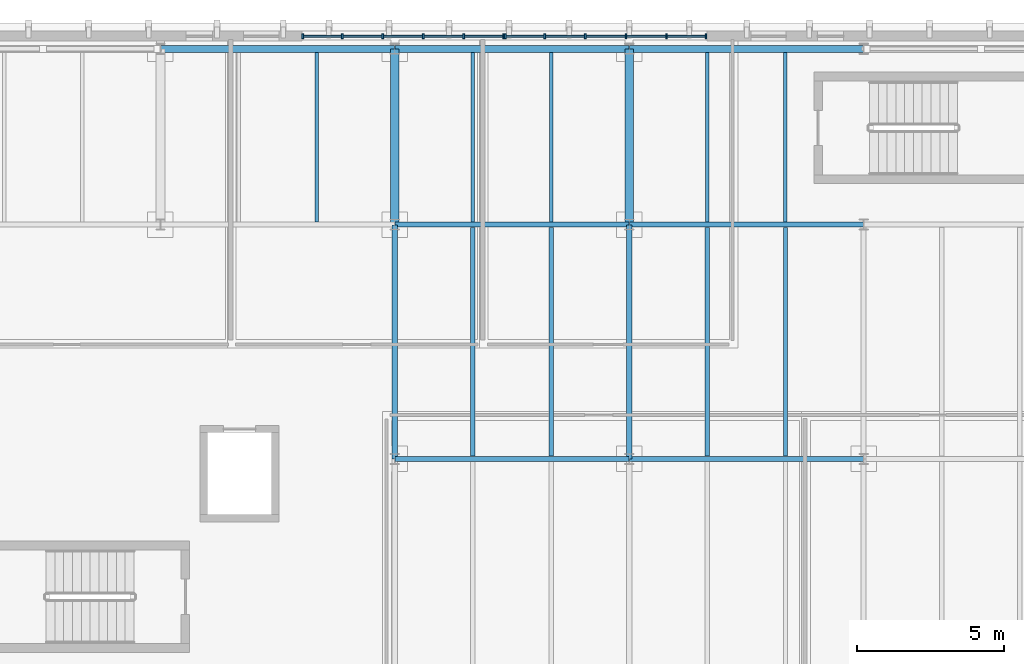
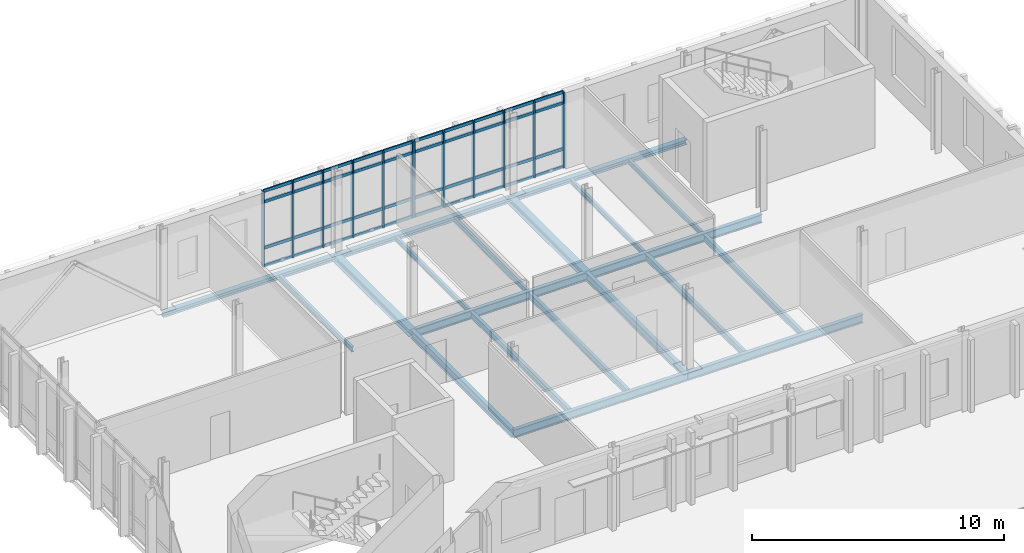
# One storey, part 10 of 43: 52 members, 20 beams, 2 elements without a shape of their own.
"""IFC4 building model written with IfcOpenShell, lengths in metres."""

from ifc_helpers import new_model, si_unit, direction, frame, origin, origin_2d, place, context, subcontext, project, spatial, rectangle, i_section, extrude, material, material_profile, profile_set, type_object, element, aggregate, save


model = new_model("IFC4")

# Units and contexts
model_context = context("Model", 3, precision=1e-05, world=origin(), true_north=direction((0.0, 1.0)))
body_context = subcontext(model_context, "Body", "Model", "MODEL_VIEW")
ifc_project = project(units=[si_unit("LENGTHUNIT", "METRE"), si_unit("AREAUNIT", "SQUARE_METRE"), si_unit("VOLUMEUNIT", "CUBIC_METRE"), si_unit("PLANEANGLEUNIT", "RADIAN"), si_unit("MASSUNIT", "GRAM", prefix="KILO")], contexts=[model_context])

# Site, building, storey
site_placement = place(None, origin())
site = spatial("IfcSite", under=ifc_project, at=site_placement, CompositionType="ELEMENT")
building_placement = place(site_placement, origin())
building = spatial("IfcBuilding", under=site, at=building_placement, Name="Cymarion Research Institute", CompositionType="ELEMENT")
storey_placement = place(building_placement, frame((0.0, 0.0, 22.800048828125)))
storey = spatial("IfcBuildingStorey", under=building, at=storey_placement, Name="L05", CompositionType="ELEMENT", Elevation=22.800048828125)

# Curtain wall, members
ifc_material_1 = material(Name="Anodised aluminium unitised curtain wall with Low-E glazing", Category="aluminium")
curtain_wall_type = type_object("IfcCurtainWallType", Name="UNITISED CURTAIN WALL CW55 6910X3680", PredefinedType="NOTDEFINED", material=ifc_material_1)
curtain_wall_1_placement = place(storey_placement, origin())
curtain_wall_1 = element("IfcCurtainWall", 1, at=curtain_wall_1_placement, inside=storey, type_object=curtain_wall_type, Name="L05 V5 unitised curtain wall CW55 #210", PredefinedType="NOTDEFINED")
ifc_material_2 = material(Name="Anodised aluminium framing", Category="aluminium")
ifc_material_profile_1 = material_profile(ifc_material_2, rectangle(XDim=0.06005859375, YDim=0.179931640625, at=origin_2d()), Name="ALU MULLION 60x180")
ifc_profile_set_1 = profile_set([ifc_material_profile_1], Name="Anodised aluminium framing")
member_type_1 = type_object("IfcMemberType", Name="CURTAIN WALL MULLION ML01 60X180", PredefinedType="MULLION", material=ifc_profile_set_1)
member_1_placement = place(storey_placement, frame((33.221923828125, 115.929931640625, 0.0), z_axis=(0.0, 0.0, 1.0), x_axis=(-1.0, 0.0, 0.0)))
member_1 = element("IfcMember", 2, at=member_1_placement, type_object=member_type_1, Name="CW55 mullion 1", PredefinedType="MULLION", context=body_context, shape_type="SweptSolid", body=[
    extrude(rectangle(XDim=0.06005859375, YDim=0.179931640625, at=origin_2d()), origin(), (0.0, 0.0, 1.0), 3.679931640625),
])
member_2_placement = place(storey_placement, frame((31.869384765625, 115.929931640625, 0.0), z_axis=(0.0, 0.0, 1.0), x_axis=(-1.0, 0.0, 0.0)))
member_2 = element("IfcMember", 3, at=member_2_placement, type_object=member_type_1, Name="CW55 mullion 2", PredefinedType="MULLION", context=body_context, shape_type="SweptSolid", body=[
    extrude(rectangle(XDim=0.06005859375, YDim=0.179931640625, at=origin_2d()), origin(), (0.0, 0.0, 1.0), 3.679931640625),
])
member_3_placement = place(storey_placement, frame((30.48681640625, 115.929931640625, 0.0), z_axis=(0.0, 0.0, 1.0), x_axis=(-1.0, 0.0, 0.0)))
member_3 = element("IfcMember", 4, at=member_3_placement, type_object=member_type_1, Name="CW55 mullion 3", PredefinedType="MULLION", context=body_context, shape_type="SweptSolid", body=[
    extrude(rectangle(XDim=0.06005859375, YDim=0.179931640625, at=origin_2d()), origin(), (0.0, 0.0, 1.0), 3.679931640625),
])
member_4_placement = place(storey_placement, frame((29.104248046875, 115.929931640625, 0.0), z_axis=(0.0, 0.0, 1.0), x_axis=(-1.0, 0.0, 0.0)))
member_4 = element("IfcMember", 5, at=member_4_placement, type_object=member_type_1, Name="CW55 mullion 4", PredefinedType="MULLION", context=body_context, shape_type="SweptSolid", body=[
    extrude(rectangle(XDim=0.06005859375, YDim=0.179931640625, at=origin_2d()), origin(), (0.0, 0.0, 1.0), 3.679931640625),
])
member_5_placement = place(storey_placement, frame((27.7216796875, 115.929931640625, 0.0), z_axis=(0.0, 0.0, 1.0), x_axis=(-1.0, 0.0, 0.0)))
member_5 = element("IfcMember", 6, at=member_5_placement, type_object=member_type_1, Name="CW55 mullion 5", PredefinedType="MULLION", context=body_context, shape_type="SweptSolid", body=[
    extrude(rectangle(XDim=0.06005859375, YDim=0.179931640625, at=origin_2d()), origin(), (0.0, 0.0, 1.0), 3.679931640625),
])
member_6_placement = place(storey_placement, frame((26.368896484375, 115.929931640625, 0.0), z_axis=(0.0, 0.0, 1.0), x_axis=(-1.0, 0.0, 0.0)))
member_6 = element("IfcMember", 7, at=member_6_placement, type_object=member_type_1, Name="CW55 mullion 6", PredefinedType="MULLION", context=body_context, shape_type="SweptSolid", body=[
    extrude(rectangle(XDim=0.06005859375, YDim=0.179931640625, at=origin_2d()), origin(), (0.0, 0.0, 1.0), 3.679931640625),
])

curtain_wall_2_placement = place(storey_placement, origin())
curtain_wall_2 = element("IfcCurtainWall", 8, at=curtain_wall_2_placement, inside=storey, type_object=curtain_wall_type, Name="L05 V5 unitised curtain wall CW55 #211", PredefinedType="NOTDEFINED")
member_7_placement = place(storey_placement, frame((26.30908203125, 115.929931640625, 0.0), z_axis=(0.0, 0.0, 1.0), x_axis=(-1.0, 0.0, 0.0)))
member_7 = element("IfcMember", 9, at=member_7_placement, type_object=member_type_1, Name="CW55 mullion 1", PredefinedType="MULLION", context=body_context, shape_type="SweptSolid", body=[
    extrude(rectangle(XDim=0.06005859375, YDim=0.179931640625, at=origin_2d()), origin(), (0.0, 0.0, 1.0), 3.679931640625),
])
member_8_placement = place(storey_placement, frame((24.956298828125, 115.929931640625, 0.0), z_axis=(0.0, 0.0, 1.0), x_axis=(-1.0, 0.0, 0.0)))
member_8 = element("IfcMember", 10, at=member_8_placement, type_object=member_type_1, Name="CW55 mullion 2", PredefinedType="MULLION", context=body_context, shape_type="SweptSolid", body=[
    extrude(rectangle(XDim=0.06005859375, YDim=0.179931640625, at=origin_2d()), origin(), (0.0, 0.0, 1.0), 3.679931640625),
])
member_9_placement = place(storey_placement, frame((23.57373046875, 115.929931640625, 0.0), z_axis=(0.0, 0.0, 1.0), x_axis=(-1.0, 0.0, 0.0)))
member_9 = element("IfcMember", 11, at=member_9_placement, type_object=member_type_1, Name="CW55 mullion 3", PredefinedType="MULLION", context=body_context, shape_type="SweptSolid", body=[
    extrude(rectangle(XDim=0.06005859375, YDim=0.179931640625, at=origin_2d()), origin(), (0.0, 0.0, 1.0), 3.679931640625),
])
member_10_placement = place(storey_placement, frame((22.191162109375, 115.929931640625, 0.0), z_axis=(0.0, 0.0, 1.0), x_axis=(-1.0, 0.0, 0.0)))
member_10 = element("IfcMember", 12, at=member_10_placement, type_object=member_type_1, Name="CW55 mullion 4", PredefinedType="MULLION", context=body_context, shape_type="SweptSolid", body=[
    extrude(rectangle(XDim=0.06005859375, YDim=0.179931640625, at=origin_2d()), origin(), (0.0, 0.0, 1.0), 3.679931640625),
])
member_11_placement = place(storey_placement, frame((20.80859375, 115.929931640625, 0.0), z_axis=(0.0, 0.0, 1.0), x_axis=(-1.0, 0.0, 0.0)))
member_11 = element("IfcMember", 13, at=member_11_placement, type_object=member_type_1, Name="CW55 mullion 5", PredefinedType="MULLION", context=body_context, shape_type="SweptSolid", body=[
    extrude(rectangle(XDim=0.06005859375, YDim=0.179931640625, at=origin_2d()), origin(), (0.0, 0.0, 1.0), 3.679931640625),
])
member_12_placement = place(storey_placement, frame((19.4560546875, 115.929931640625, 0.0), z_axis=(0.0, 0.0, 1.0), x_axis=(-1.0, 0.0, 0.0)))
member_12 = element("IfcMember", 14, at=member_12_placement, type_object=member_type_1, Name="CW55 mullion 6", PredefinedType="MULLION", context=body_context, shape_type="SweptSolid", body=[
    extrude(rectangle(XDim=0.06005859375, YDim=0.179931640625, at=origin_2d()), origin(), (0.0, 0.0, 1.0), 3.679931640625),
])

# Member
ifc_material_profile_2 = material_profile(ifc_material_2, rectangle(XDim=0.06005859375, YDim=0.14990234375, at=origin_2d()), Name="ALU TRANSOM 60x150")
ifc_profile_set_2 = profile_set([ifc_material_profile_2], Name="Anodised aluminium framing")
member_type_2 = type_object("IfcMemberType", Name="CURTAIN WALL TRANSOM TR01 60X150", PredefinedType="USERDEFINED", material=ifc_profile_set_2)
member_13_placement = place(storey_placement, frame((33.19189453125, 115.929931640625, 0.030029296875), z_axis=(-1.0, 0.0, 0.0), x_axis=(0.0, -1.0, 0.0)))
member_13 = element("IfcMember", 15, at=member_13_placement, type_object=member_type_2, Name="CW55 transom 1.1", ObjectType="TRANSOM", PredefinedType="USERDEFINED", context=body_context, shape_type="SweptSolid", body=[
    extrude(rectangle(XDim=0.06005859375, YDim=0.14990234375, at=origin_2d()), origin(), (0.0, 0.0, 1.0), 1.29248046875),
])

member_14_placement = place(storey_placement, frame((33.19189453125, 115.929931640625, 0.89990234375), z_axis=(-1.0, 0.0, 0.0), x_axis=(0.0, -1.0, 0.0)))
member_14 = element("IfcMember", 16, at=member_14_placement, type_object=member_type_2, Name="CW55 transom 1.2", ObjectType="TRANSOM", PredefinedType="USERDEFINED", context=body_context, shape_type="SweptSolid", body=[
    extrude(rectangle(XDim=0.06005859375, YDim=0.14990234375, at=origin_2d()), origin(), (0.0, 0.0, 1.0), 1.29248046875),
])

member_15_placement = place(storey_placement, frame((33.19189453125, 115.929931640625, 3.1298828125), z_axis=(-1.0, 0.0, 0.0), x_axis=(0.0, -1.0, 0.0)))
member_15 = element("IfcMember", 17, at=member_15_placement, type_object=member_type_2, Name="CW55 transom 1.3", ObjectType="TRANSOM", PredefinedType="USERDEFINED", context=body_context, shape_type="SweptSolid", body=[
    extrude(rectangle(XDim=0.06005859375, YDim=0.14990234375, at=origin_2d()), origin(), (0.0, 0.0, 1.0), 1.29248046875),
])

member_16_placement = place(storey_placement, frame((33.19189453125, 115.929931640625, 3.64990234375), z_axis=(-1.0, 0.0, 0.0), x_axis=(0.0, -1.0, 0.0)))
member_16 = element("IfcMember", 18, at=member_16_placement, type_object=member_type_2, Name="CW55 transom 1.4", ObjectType="TRANSOM", PredefinedType="USERDEFINED", context=body_context, shape_type="SweptSolid", body=[
    extrude(rectangle(XDim=0.06005859375, YDim=0.14990234375, at=origin_2d()), origin(), (0.0, 0.0, 1.0), 1.29248046875),
])

member_17_placement = place(storey_placement, frame((31.83935546875, 115.929931640625, 0.030029296875), z_axis=(-1.0, 0.0, 0.0), x_axis=(0.0, -1.0, 0.0)))
member_17 = element("IfcMember", 19, at=member_17_placement, type_object=member_type_2, Name="CW55 transom 2.1", ObjectType="TRANSOM", PredefinedType="USERDEFINED", context=body_context, shape_type="SweptSolid", body=[
    extrude(rectangle(XDim=0.06005859375, YDim=0.14990234375, at=origin_2d()), origin(), (0.0, 0.0, 1.0), 1.322509765625),
])

member_18_placement = place(storey_placement, frame((31.83935546875, 115.929931640625, 0.89990234375), z_axis=(-1.0, 0.0, 0.0), x_axis=(0.0, -1.0, 0.0)))
member_18 = element("IfcMember", 20, at=member_18_placement, type_object=member_type_2, Name="CW55 transom 2.2", ObjectType="TRANSOM", PredefinedType="USERDEFINED", context=body_context, shape_type="SweptSolid", body=[
    extrude(rectangle(XDim=0.06005859375, YDim=0.14990234375, at=origin_2d()), origin(), (0.0, 0.0, 1.0), 1.322509765625),
])

member_19_placement = place(storey_placement, frame((31.83935546875, 115.929931640625, 3.1298828125), z_axis=(-1.0, 0.0, 0.0), x_axis=(0.0, -1.0, 0.0)))
member_19 = element("IfcMember", 21, at=member_19_placement, type_object=member_type_2, Name="CW55 transom 2.3", ObjectType="TRANSOM", PredefinedType="USERDEFINED", context=body_context, shape_type="SweptSolid", body=[
    extrude(rectangle(XDim=0.06005859375, YDim=0.14990234375, at=origin_2d()), origin(), (0.0, 0.0, 1.0), 1.322509765625),
])

member_20_placement = place(storey_placement, frame((31.83935546875, 115.929931640625, 3.64990234375), z_axis=(-1.0, 0.0, 0.0), x_axis=(0.0, -1.0, 0.0)))
member_20 = element("IfcMember", 22, at=member_20_placement, type_object=member_type_2, Name="CW55 transom 2.4", ObjectType="TRANSOM", PredefinedType="USERDEFINED", context=body_context, shape_type="SweptSolid", body=[
    extrude(rectangle(XDim=0.06005859375, YDim=0.14990234375, at=origin_2d()), origin(), (0.0, 0.0, 1.0), 1.322509765625),
])

member_21_placement = place(storey_placement, frame((30.456787109375, 115.929931640625, 0.030029296875), z_axis=(-1.0, 0.0, 0.0), x_axis=(0.0, -1.0, 0.0)))
member_21 = element("IfcMember", 23, at=member_21_placement, type_object=member_type_2, Name="CW55 transom 3.1", ObjectType="TRANSOM", PredefinedType="USERDEFINED", context=body_context, shape_type="SweptSolid", body=[
    extrude(rectangle(XDim=0.06005859375, YDim=0.14990234375, at=origin_2d()), origin(), (0.0, 0.0, 1.0), 1.322509765625),
])

member_22_placement = place(storey_placement, frame((30.456787109375, 115.929931640625, 0.89990234375), z_axis=(-1.0, 0.0, 0.0), x_axis=(0.0, -1.0, 0.0)))
member_22 = element("IfcMember", 24, at=member_22_placement, type_object=member_type_2, Name="CW55 transom 3.2", ObjectType="TRANSOM", PredefinedType="USERDEFINED", context=body_context, shape_type="SweptSolid", body=[
    extrude(rectangle(XDim=0.06005859375, YDim=0.14990234375, at=origin_2d()), origin(), (0.0, 0.0, 1.0), 1.322509765625),
])

member_23_placement = place(storey_placement, frame((30.456787109375, 115.929931640625, 3.1298828125), z_axis=(-1.0, 0.0, 0.0), x_axis=(0.0, -1.0, 0.0)))
member_23 = element("IfcMember", 25, at=member_23_placement, type_object=member_type_2, Name="CW55 transom 3.3", ObjectType="TRANSOM", PredefinedType="USERDEFINED", context=body_context, shape_type="SweptSolid", body=[
    extrude(rectangle(XDim=0.06005859375, YDim=0.14990234375, at=origin_2d()), origin(), (0.0, 0.0, 1.0), 1.322509765625),
])

member_24_placement = place(storey_placement, frame((30.456787109375, 115.929931640625, 3.64990234375), z_axis=(-1.0, 0.0, 0.0), x_axis=(0.0, -1.0, 0.0)))
member_24 = element("IfcMember", 26, at=member_24_placement, type_object=member_type_2, Name="CW55 transom 3.4", ObjectType="TRANSOM", PredefinedType="USERDEFINED", context=body_context, shape_type="SweptSolid", body=[
    extrude(rectangle(XDim=0.06005859375, YDim=0.14990234375, at=origin_2d()), origin(), (0.0, 0.0, 1.0), 1.322509765625),
])

member_25_placement = place(storey_placement, frame((29.07421875, 115.929931640625, 0.030029296875), z_axis=(-1.0, 0.0, 0.0), x_axis=(0.0, -1.0, 0.0)))
member_25 = element("IfcMember", 27, at=member_25_placement, type_object=member_type_2, Name="CW55 transom 4.1", ObjectType="TRANSOM", PredefinedType="USERDEFINED", context=body_context, shape_type="SweptSolid", body=[
    extrude(rectangle(XDim=0.06005859375, YDim=0.14990234375, at=origin_2d()), origin(), (0.0, 0.0, 1.0), 1.322509765625),
])

member_26_placement = place(storey_placement, frame((29.07421875, 115.929931640625, 0.89990234375), z_axis=(-1.0, 0.0, 0.0), x_axis=(0.0, -1.0, 0.0)))
member_26 = element("IfcMember", 28, at=member_26_placement, type_object=member_type_2, Name="CW55 transom 4.2", ObjectType="TRANSOM", PredefinedType="USERDEFINED", context=body_context, shape_type="SweptSolid", body=[
    extrude(rectangle(XDim=0.06005859375, YDim=0.14990234375, at=origin_2d()), origin(), (0.0, 0.0, 1.0), 1.322509765625),
])

member_27_placement = place(storey_placement, frame((29.07421875, 115.929931640625, 3.1298828125), z_axis=(-1.0, 0.0, 0.0), x_axis=(0.0, -1.0, 0.0)))
member_27 = element("IfcMember", 29, at=member_27_placement, type_object=member_type_2, Name="CW55 transom 4.3", ObjectType="TRANSOM", PredefinedType="USERDEFINED", context=body_context, shape_type="SweptSolid", body=[
    extrude(rectangle(XDim=0.06005859375, YDim=0.14990234375, at=origin_2d()), origin(), (0.0, 0.0, 1.0), 1.322509765625),
])

member_28_placement = place(storey_placement, frame((29.07421875, 115.929931640625, 3.64990234375), z_axis=(-1.0, 0.0, 0.0), x_axis=(0.0, -1.0, 0.0)))
member_28 = element("IfcMember", 30, at=member_28_placement, type_object=member_type_2, Name="CW55 transom 4.4", ObjectType="TRANSOM", PredefinedType="USERDEFINED", context=body_context, shape_type="SweptSolid", body=[
    extrude(rectangle(XDim=0.06005859375, YDim=0.14990234375, at=origin_2d()), origin(), (0.0, 0.0, 1.0), 1.322509765625),
])

member_29_placement = place(storey_placement, frame((27.691650390625, 115.929931640625, 0.030029296875), z_axis=(-1.0, 0.0, 0.0), x_axis=(0.0, -1.0, 0.0)))
member_29 = element("IfcMember", 31, at=member_29_placement, type_object=member_type_2, Name="CW55 transom 5.1", ObjectType="TRANSOM", PredefinedType="USERDEFINED", context=body_context, shape_type="SweptSolid", body=[
    extrude(rectangle(XDim=0.06005859375, YDim=0.14990234375, at=origin_2d()), origin(), (0.0, 0.0, 1.0), 1.292724609375),
])

member_30_placement = place(storey_placement, frame((27.691650390625, 115.929931640625, 0.89990234375), z_axis=(-1.0, 0.0, 0.0), x_axis=(0.0, -1.0, 0.0)))
member_30 = element("IfcMember", 32, at=member_30_placement, type_object=member_type_2, Name="CW55 transom 5.2", ObjectType="TRANSOM", PredefinedType="USERDEFINED", context=body_context, shape_type="SweptSolid", body=[
    extrude(rectangle(XDim=0.06005859375, YDim=0.14990234375, at=origin_2d()), origin(), (0.0, 0.0, 1.0), 1.292724609375),
])

member_31_placement = place(storey_placement, frame((27.691650390625, 115.929931640625, 3.1298828125), z_axis=(-1.0, 0.0, 0.0), x_axis=(0.0, -1.0, 0.0)))
member_31 = element("IfcMember", 33, at=member_31_placement, type_object=member_type_2, Name="CW55 transom 5.3", ObjectType="TRANSOM", PredefinedType="USERDEFINED", context=body_context, shape_type="SweptSolid", body=[
    extrude(rectangle(XDim=0.06005859375, YDim=0.14990234375, at=origin_2d()), origin(), (0.0, 0.0, 1.0), 1.292724609375),
])

member_32_placement = place(storey_placement, frame((27.691650390625, 115.929931640625, 3.64990234375), z_axis=(-1.0, 0.0, 0.0), x_axis=(0.0, -1.0, 0.0)))
member_32 = element("IfcMember", 34, at=member_32_placement, type_object=member_type_2, Name="CW55 transom 5.4", ObjectType="TRANSOM", PredefinedType="USERDEFINED", context=body_context, shape_type="SweptSolid", body=[
    extrude(rectangle(XDim=0.06005859375, YDim=0.14990234375, at=origin_2d()), origin(), (0.0, 0.0, 1.0), 1.292724609375),
])

aggregate(curtain_wall_1, [member_1, member_2, member_3, member_4, member_5, member_6, member_13, member_14, member_15, member_16, member_17, member_18, member_19, member_20, member_21, member_22, member_23, member_24, member_25, member_26, member_27, member_28, member_29, member_30, member_31, member_32])

member_33_placement = place(storey_placement, frame((26.279052734375, 115.929931640625, 0.030029296875), z_axis=(-1.0, 0.0, 0.0), x_axis=(0.0, -1.0, 0.0)))
member_33 = element("IfcMember", 35, at=member_33_placement, type_object=member_type_2, Name="CW55 transom 1.1", ObjectType="TRANSOM", PredefinedType="USERDEFINED", context=body_context, shape_type="SweptSolid", body=[
    extrude(rectangle(XDim=0.06005859375, YDim=0.14990234375, at=origin_2d()), origin(), (0.0, 0.0, 1.0), 1.292724609375),
])

member_34_placement = place(storey_placement, frame((26.279052734375, 115.929931640625, 0.89990234375), z_axis=(-1.0, 0.0, 0.0), x_axis=(0.0, -1.0, 0.0)))
member_34 = element("IfcMember", 36, at=member_34_placement, type_object=member_type_2, Name="CW55 transom 1.2", ObjectType="TRANSOM", PredefinedType="USERDEFINED", context=body_context, shape_type="SweptSolid", body=[
    extrude(rectangle(XDim=0.06005859375, YDim=0.14990234375, at=origin_2d()), origin(), (0.0, 0.0, 1.0), 1.292724609375),
])

member_35_placement = place(storey_placement, frame((26.279052734375, 115.929931640625, 3.1298828125), z_axis=(-1.0, 0.0, 0.0), x_axis=(0.0, -1.0, 0.0)))
member_35 = element("IfcMember", 37, at=member_35_placement, type_object=member_type_2, Name="CW55 transom 1.3", ObjectType="TRANSOM", PredefinedType="USERDEFINED", context=body_context, shape_type="SweptSolid", body=[
    extrude(rectangle(XDim=0.06005859375, YDim=0.14990234375, at=origin_2d()), origin(), (0.0, 0.0, 1.0), 1.292724609375),
])

member_36_placement = place(storey_placement, frame((26.279052734375, 115.929931640625, 3.64990234375), z_axis=(-1.0, 0.0, 0.0), x_axis=(0.0, -1.0, 0.0)))
member_36 = element("IfcMember", 38, at=member_36_placement, type_object=member_type_2, Name="CW55 transom 1.4", ObjectType="TRANSOM", PredefinedType="USERDEFINED", context=body_context, shape_type="SweptSolid", body=[
    extrude(rectangle(XDim=0.06005859375, YDim=0.14990234375, at=origin_2d()), origin(), (0.0, 0.0, 1.0), 1.292724609375),
])

member_37_placement = place(storey_placement, frame((24.926513671875, 115.929931640625, 0.030029296875), z_axis=(-1.0, 0.0, 0.0), x_axis=(0.0, -1.0, 0.0)))
member_37 = element("IfcMember", 39, at=member_37_placement, type_object=member_type_2, Name="CW55 transom 2.1", ObjectType="TRANSOM", PredefinedType="USERDEFINED", context=body_context, shape_type="SweptSolid", body=[
    extrude(rectangle(XDim=0.06005859375, YDim=0.14990234375, at=origin_2d()), origin(), (0.0, 0.0, 1.0), 1.32275390625),
])

member_38_placement = place(storey_placement, frame((24.926513671875, 115.929931640625, 0.89990234375), z_axis=(-1.0, 0.0, 0.0), x_axis=(0.0, -1.0, 0.0)))
member_38 = element("IfcMember", 40, at=member_38_placement, type_object=member_type_2, Name="CW55 transom 2.2", ObjectType="TRANSOM", PredefinedType="USERDEFINED", context=body_context, shape_type="SweptSolid", body=[
    extrude(rectangle(XDim=0.06005859375, YDim=0.14990234375, at=origin_2d()), origin(), (0.0, 0.0, 1.0), 1.32275390625),
])

member_39_placement = place(storey_placement, frame((24.926513671875, 115.929931640625, 3.1298828125), z_axis=(-1.0, 0.0, 0.0), x_axis=(0.0, -1.0, 0.0)))
member_39 = element("IfcMember", 41, at=member_39_placement, type_object=member_type_2, Name="CW55 transom 2.3", ObjectType="TRANSOM", PredefinedType="USERDEFINED", context=body_context, shape_type="SweptSolid", body=[
    extrude(rectangle(XDim=0.06005859375, YDim=0.14990234375, at=origin_2d()), origin(), (0.0, 0.0, 1.0), 1.32275390625),
])

member_40_placement = place(storey_placement, frame((24.926513671875, 115.929931640625, 3.64990234375), z_axis=(-1.0, 0.0, 0.0), x_axis=(0.0, -1.0, 0.0)))
member_40 = element("IfcMember", 42, at=member_40_placement, type_object=member_type_2, Name="CW55 transom 2.4", ObjectType="TRANSOM", PredefinedType="USERDEFINED", context=body_context, shape_type="SweptSolid", body=[
    extrude(rectangle(XDim=0.06005859375, YDim=0.14990234375, at=origin_2d()), origin(), (0.0, 0.0, 1.0), 1.32275390625),
])

member_41_placement = place(storey_placement, frame((23.543701171875, 115.929931640625, 0.030029296875), z_axis=(-1.0, 0.0, 0.0), x_axis=(0.0, -1.0, 0.0)))
member_41 = element("IfcMember", 43, at=member_41_placement, type_object=member_type_2, Name="CW55 transom 3.1", ObjectType="TRANSOM", PredefinedType="USERDEFINED", context=body_context, shape_type="SweptSolid", body=[
    extrude(rectangle(XDim=0.06005859375, YDim=0.14990234375, at=origin_2d()), origin(), (0.0, 0.0, 1.0), 1.322509765625),
])

member_42_placement = place(storey_placement, frame((23.543701171875, 115.929931640625, 0.89990234375), z_axis=(-1.0, 0.0, 0.0), x_axis=(0.0, -1.0, 0.0)))
member_42 = element("IfcMember", 44, at=member_42_placement, type_object=member_type_2, Name="CW55 transom 3.2", ObjectType="TRANSOM", PredefinedType="USERDEFINED", context=body_context, shape_type="SweptSolid", body=[
    extrude(rectangle(XDim=0.06005859375, YDim=0.14990234375, at=origin_2d()), origin(), (0.0, 0.0, 1.0), 1.322509765625),
])

member_43_placement = place(storey_placement, frame((23.543701171875, 115.929931640625, 3.1298828125), z_axis=(-1.0, 0.0, 0.0), x_axis=(0.0, -1.0, 0.0)))
member_43 = element("IfcMember", 45, at=member_43_placement, type_object=member_type_2, Name="CW55 transom 3.3", ObjectType="TRANSOM", PredefinedType="USERDEFINED", context=body_context, shape_type="SweptSolid", body=[
    extrude(rectangle(XDim=0.06005859375, YDim=0.14990234375, at=origin_2d()), origin(), (0.0, 0.0, 1.0), 1.322509765625),
])

member_44_placement = place(storey_placement, frame((23.543701171875, 115.929931640625, 3.64990234375), z_axis=(-1.0, 0.0, 0.0), x_axis=(0.0, -1.0, 0.0)))
member_44 = element("IfcMember", 46, at=member_44_placement, type_object=member_type_2, Name="CW55 transom 3.4", ObjectType="TRANSOM", PredefinedType="USERDEFINED", context=body_context, shape_type="SweptSolid", body=[
    extrude(rectangle(XDim=0.06005859375, YDim=0.14990234375, at=origin_2d()), origin(), (0.0, 0.0, 1.0), 1.322509765625),
])

member_45_placement = place(storey_placement, frame((22.1611328125, 115.929931640625, 0.030029296875), z_axis=(-1.0, 0.0, 0.0), x_axis=(0.0, -1.0, 0.0)))
member_45 = element("IfcMember", 47, at=member_45_placement, type_object=member_type_2, Name="CW55 transom 4.1", ObjectType="TRANSOM", PredefinedType="USERDEFINED", context=body_context, shape_type="SweptSolid", body=[
    extrude(rectangle(XDim=0.06005859375, YDim=0.14990234375, at=origin_2d()), origin(), (0.0, 0.0, 1.0), 1.322509765625),
])

member_46_placement = place(storey_placement, frame((22.1611328125, 115.929931640625, 0.89990234375), z_axis=(-1.0, 0.0, 0.0), x_axis=(0.0, -1.0, 0.0)))
member_46 = element("IfcMember", 48, at=member_46_placement, type_object=member_type_2, Name="CW55 transom 4.2", ObjectType="TRANSOM", PredefinedType="USERDEFINED", context=body_context, shape_type="SweptSolid", body=[
    extrude(rectangle(XDim=0.06005859375, YDim=0.14990234375, at=origin_2d()), origin(), (0.0, 0.0, 1.0), 1.322509765625),
])

member_47_placement = place(storey_placement, frame((22.1611328125, 115.929931640625, 3.1298828125), z_axis=(-1.0, 0.0, 0.0), x_axis=(0.0, -1.0, 0.0)))
member_47 = element("IfcMember", 49, at=member_47_placement, type_object=member_type_2, Name="CW55 transom 4.3", ObjectType="TRANSOM", PredefinedType="USERDEFINED", context=body_context, shape_type="SweptSolid", body=[
    extrude(rectangle(XDim=0.06005859375, YDim=0.14990234375, at=origin_2d()), origin(), (0.0, 0.0, 1.0), 1.322509765625),
])

member_48_placement = place(storey_placement, frame((22.1611328125, 115.929931640625, 3.64990234375), z_axis=(-1.0, 0.0, 0.0), x_axis=(0.0, -1.0, 0.0)))
member_48 = element("IfcMember", 50, at=member_48_placement, type_object=member_type_2, Name="CW55 transom 4.4", ObjectType="TRANSOM", PredefinedType="USERDEFINED", context=body_context, shape_type="SweptSolid", body=[
    extrude(rectangle(XDim=0.06005859375, YDim=0.14990234375, at=origin_2d()), origin(), (0.0, 0.0, 1.0), 1.322509765625),
])

member_49_placement = place(storey_placement, frame((20.778564453125, 115.929931640625, 0.030029296875), z_axis=(-1.0, 0.0, 0.0), x_axis=(0.0, -1.0, 0.0)))
member_49 = element("IfcMember", 51, at=member_49_placement, type_object=member_type_2, Name="CW55 transom 5.1", ObjectType="TRANSOM", PredefinedType="USERDEFINED", context=body_context, shape_type="SweptSolid", body=[
    extrude(rectangle(XDim=0.06005859375, YDim=0.14990234375, at=origin_2d()), origin(), (0.0, 0.0, 1.0), 1.29248046875),
])

member_50_placement = place(storey_placement, frame((20.778564453125, 115.929931640625, 0.89990234375), z_axis=(-1.0, 0.0, 0.0), x_axis=(0.0, -1.0, 0.0)))
member_50 = element("IfcMember", 52, at=member_50_placement, type_object=member_type_2, Name="CW55 transom 5.2", ObjectType="TRANSOM", PredefinedType="USERDEFINED", context=body_context, shape_type="SweptSolid", body=[
    extrude(rectangle(XDim=0.06005859375, YDim=0.14990234375, at=origin_2d()), origin(), (0.0, 0.0, 1.0), 1.29248046875),
])

member_51_placement = place(storey_placement, frame((20.778564453125, 115.929931640625, 3.1298828125), z_axis=(-1.0, 0.0, 0.0), x_axis=(0.0, -1.0, 0.0)))
member_51 = element("IfcMember", 53, at=member_51_placement, type_object=member_type_2, Name="CW55 transom 5.3", ObjectType="TRANSOM", PredefinedType="USERDEFINED", context=body_context, shape_type="SweptSolid", body=[
    extrude(rectangle(XDim=0.06005859375, YDim=0.14990234375, at=origin_2d()), origin(), (0.0, 0.0, 1.0), 1.29248046875),
])

member_52_placement = place(storey_placement, frame((20.778564453125, 115.929931640625, 3.64990234375), z_axis=(-1.0, 0.0, 0.0), x_axis=(0.0, -1.0, 0.0)))
member_52 = element("IfcMember", 54, at=member_52_placement, type_object=member_type_2, Name="CW55 transom 5.4", ObjectType="TRANSOM", PredefinedType="USERDEFINED", context=body_context, shape_type="SweptSolid", body=[
    extrude(rectangle(XDim=0.06005859375, YDim=0.14990234375, at=origin_2d()), origin(), (0.0, 0.0, 1.0), 1.29248046875),
])

aggregate(curtain_wall_2, [member_7, member_8, member_9, member_10, member_11, member_12, member_33, member_34, member_35, member_36, member_37, member_38, member_39, member_40, member_41, member_42, member_43, member_44, member_45, member_46, member_47, member_48, member_49, member_50, member_51, member_52])

# Beams
ifc_material_3 = material(Name="Steel S355", Category="steel")
ifc_material_profile_3 = material_profile(ifc_material_3, i_section(OverallWidth=0.179931640625, OverallDepth=0.39990234375, WebThickness=0.008544921875, FlangeThickness=0.013427734375, FilletRadius=0.02099609375, at=origin_2d()), Name="IPE 400")
ifc_profile_set_3 = profile_set([ifc_material_profile_3], Name="Steel S355")
beam_type_1 = type_object("IfcBeamType", Name="PRIMARY GIRDER BM05 IPE 400", PredefinedType="BEAM", material=ifc_profile_set_3)
for number, where, z_axis, x_axis, name in (
    (55, (22.60595703125, 101.5, -0.420166015625), (1.0, 0.0, 0.0), (0.0, 1.0, 0.0), "L05 V5 girder BM05 #1979"),
    (56, (30.60595703125, 101.5, -0.420166015625), (1.0, 0.0, 0.0), (0.0, 1.0, 0.0), "L05 V5 girder BM05 #1980"),
    (57, (22.60595703125, 109.5, -0.420166015625), (1.0, 0.0, 0.0), (0.0, 1.0, 0.0), "L05 V5 girder BM05 #1984"),
    (58, (30.60595703125, 109.5, -0.420166015625), (1.0, 0.0, 0.0), (0.0, 1.0, 0.0), "L05 V5 girder BM05 #1985"),
):
    element("IfcBeam", number, at=place(storey_placement, frame(where, z_axis=z_axis, x_axis=x_axis)), inside=storey, type_object=beam_type_1, Name=name, PredefinedType="BEAM", context=body_context, shape_type="SweptSolid", body=[
        extrude(i_section(OverallWidth=0.179931640625, OverallDepth=0.39990234375, WebThickness=0.008544921875, FlangeThickness=0.013427734375, FilletRadius=0.02099609375, at=origin_2d()), origin(), (0.0, 0.0, 1.0), 7.988037109375),
    ])
for number, where, z_axis, x_axis, name in (
    (59, (22.60009765625, 101.506103515625, -0.420166015625), (0.0, 1.0, 0.0), (-1.0, 0.0, 0.0), "L05 V5 girder BM05 #2000"),
    (60, (30.60009765625, 101.506103515625, -0.420166015625), (0.0, 1.0, 0.0), (-1.0, 0.0, 0.0), "L05 V5 girder BM05 #2004"),
):
    element("IfcBeam", number, at=place(storey_placement, frame(where, z_axis=z_axis, x_axis=x_axis)), inside=storey, type_object=beam_type_1, Name=name, PredefinedType="BEAM", context=body_context, shape_type="SweptSolid", body=[
        extrude(i_section(OverallWidth=0.179931640625, OverallDepth=0.39990234375, WebThickness=0.008544921875, FlangeThickness=0.013427734375, FilletRadius=0.02099609375, at=origin_2d()), origin(), (0.0, 0.0, 1.0), 7.98779296875),
    ])
ifc_material_profile_4 = material_profile(ifc_material_3, i_section(OverallWidth=0.300048828125, OverallDepth=0.35009765625, WebThickness=0.010009765625, FlangeThickness=0.017578125, FilletRadius=0.027099609375, at=origin_2d()), Name="HEA 360")
ifc_profile_set_4 = profile_set([ifc_material_profile_4], Name="Steel S355")
beam_type_2 = type_object("IfcBeamType", Name="PRIMARY GIRDER BM12 HEA 360", PredefinedType="BEAM", material=ifc_profile_set_4)
for number, where, z_axis, x_axis, name in (
    (61, (22.60009765625, 109.506103515625, -0.39501953125), (0.0, 1.0, 0.0), (-1.0, 0.0, 0.0), "L05 V5 girder BM12 #2001"),
    (62, (30.60009765625, 109.506103515625, -0.39501953125), (0.0, 1.0, 0.0), (-1.0, 0.0, 0.0), "L05 V5 girder BM12 #2005"),
):
    element("IfcBeam", number, at=place(storey_placement, frame(where, z_axis=z_axis, x_axis=x_axis)), inside=storey, type_object=beam_type_2, Name=name, PredefinedType="BEAM", context=body_context, shape_type="SweptSolid", body=[
        extrude(i_section(OverallWidth=0.300048828125, OverallDepth=0.35009765625, WebThickness=0.010009765625, FlangeThickness=0.017578125, FilletRadius=0.027099609375, at=origin_2d()), origin(), (0.0, 0.0, 1.0), 5.98779296875),
    ])
ifc_material_profile_5 = material_profile(ifc_material_3, i_section(OverallWidth=0.14990234375, OverallDepth=0.300048828125, WebThickness=0.007080078125, FlangeThickness=0.0107421875, FilletRadius=0.014892578125, at=origin_2d()), Name="IPE 300")
ifc_profile_set_5 = profile_set([ifc_material_profile_5], Name="Steel S355")
beam_type_3 = type_object("IfcBeamType", Name="SECONDARY JOIST JS02 IPE 300", PredefinedType="JOIST", material=ifc_profile_set_5)
for number, where, z_axis, x_axis, name in (
    (63, (25.2666015625, 101.593994140625, -0.3701171875), (0.0, 1.0, 0.0), (-1.0, 0.0, 0.0), "L05 V5 secondary joist JS02 #2026"),
    (64, (27.933349609375, 101.593994140625, -0.3701171875), (0.0, 1.0, 0.0), (-1.0, 0.0, 0.0), "L05 V5 secondary joist JS02 #2027"),
    (65, (33.2666015625, 101.593994140625, -0.3701171875), (0.0, 1.0, 0.0), (-1.0, 0.0, 0.0), "L05 V5 secondary joist JS02 #2028"),
    (66, (35.933349609375, 101.593994140625, -0.3701171875), (0.0, 1.0, 0.0), (-1.0, 0.0, 0.0), "L05 V5 secondary joist JS02 #2029"),
):
    element("IfcBeam", number, at=place(storey_placement, frame(where, z_axis=z_axis, x_axis=x_axis)), inside=storey, type_object=beam_type_3, Name=name, PredefinedType="JOIST", context=body_context, shape_type="SweptSolid", body=[
        extrude(i_section(OverallWidth=0.14990234375, OverallDepth=0.300048828125, WebThickness=0.007080078125, FlangeThickness=0.0107421875, FilletRadius=0.014892578125, at=origin_2d()), origin(), (0.0, 0.0, 1.0), 7.81201171875),
    ])
ifc_material_profile_6 = material_profile(ifc_material_3, i_section(OverallWidth=0.1201171875, OverallDepth=0.239990234375, WebThickness=0.006103515625, FlangeThickness=0.009765625, FilletRadius=0.014892578125, at=origin_2d()), Name="IPE 240")
ifc_profile_set_6 = profile_set([ifc_material_profile_6], Name="Steel S355")
beam_type_4 = type_object("IfcBeamType", Name="SECONDARY JOIST JS04 IPE 240", PredefinedType="JOIST", material=ifc_profile_set_6)
for number, where, z_axis, x_axis, name in (
    (67, (19.933349609375, 109.593994140625, -0.340087890625), (0.0, 1.0, 0.0), (-1.0, 0.0, 0.0), "L05 V5 secondary joist JS04 #2035"),
    (68, (25.2666015625, 109.593994140625, -0.340087890625), (0.0, 1.0, 0.0), (-1.0, 0.0, 0.0), "L05 V5 secondary joist JS04 #2036"),
    (69, (27.933349609375, 109.593994140625, -0.340087890625), (0.0, 1.0, 0.0), (-1.0, 0.0, 0.0), "L05 V5 secondary joist JS04 #2037"),
    (70, (33.2666015625, 109.593994140625, -0.340087890625), (0.0, 1.0, 0.0), (-1.0, 0.0, 0.0), "L05 V5 secondary joist JS04 #2038"),
    (71, (35.933349609375, 109.593994140625, -0.340087890625), (0.0, 1.0, 0.0), (-1.0, 0.0, 0.0), "L05 V5 secondary joist JS04 #2039"),
):
    element("IfcBeam", number, at=place(storey_placement, frame(where, z_axis=z_axis, x_axis=x_axis)), inside=storey, type_object=beam_type_4, Name=name, PredefinedType="JOIST", context=body_context, shape_type="SweptSolid", body=[
        extrude(i_section(OverallWidth=0.1201171875, OverallDepth=0.239990234375, WebThickness=0.006103515625, FlangeThickness=0.009765625, FilletRadius=0.014892578125, at=origin_2d()), origin(), (0.0, 0.0, 1.0), 5.781982421875),
    ])
ifc_material_profile_7 = material_profile(ifc_material_3, i_section(OverallWidth=0.239990234375, OverallDepth=0.22998046875, WebThickness=0.007568359375, FlangeThickness=0.011962890625, FilletRadius=0.02099609375, at=origin_2d()), Name="HEA 240")
ifc_profile_set_7 = profile_set([ifc_material_profile_7], Name="Steel S355")
beam_type_5 = type_object("IfcBeamType", Name="SPANDREL BEAM SPB03 HEA 240", PredefinedType="SPANDREL", material=ifc_profile_set_7)
for number, where, z_axis, x_axis, name in (
    (72, (14.60595703125, 115.5, -0.3349609375), (1.0, 0.0, 0.0), (0.0, 1.0, 0.0), "L05 V5 girder SPB03 #1988"),
    (73, (22.60595703125, 115.5, -0.3349609375), (1.0, 0.0, 0.0), (0.0, 1.0, 0.0), "L05 V5 girder SPB03 #1989"),
    (74, (30.60595703125, 115.5, -0.3349609375), (1.0, 0.0, 0.0), (0.0, 1.0, 0.0), "L05 V5 girder SPB03 #1990"),
):
    element("IfcBeam", number, at=place(storey_placement, frame(where, z_axis=z_axis, x_axis=x_axis)), inside=storey, type_object=beam_type_5, Name=name, PredefinedType="SPANDREL", context=body_context, shape_type="SweptSolid", body=[
        extrude(i_section(OverallWidth=0.239990234375, OverallDepth=0.22998046875, WebThickness=0.007568359375, FlangeThickness=0.011962890625, FilletRadius=0.02099609375, at=origin_2d()), origin(), (0.0, 0.0, 1.0), 7.988037109375),
    ])

save(model, "model.ifc")
